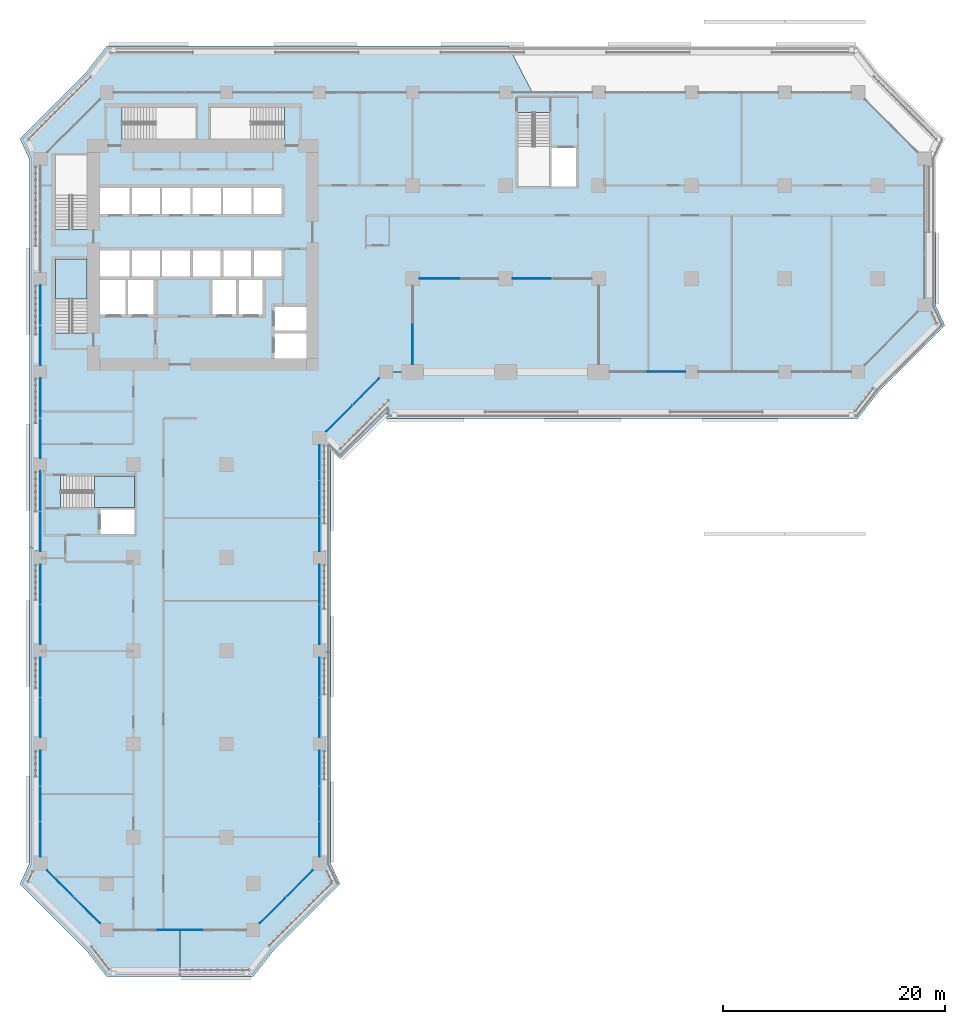
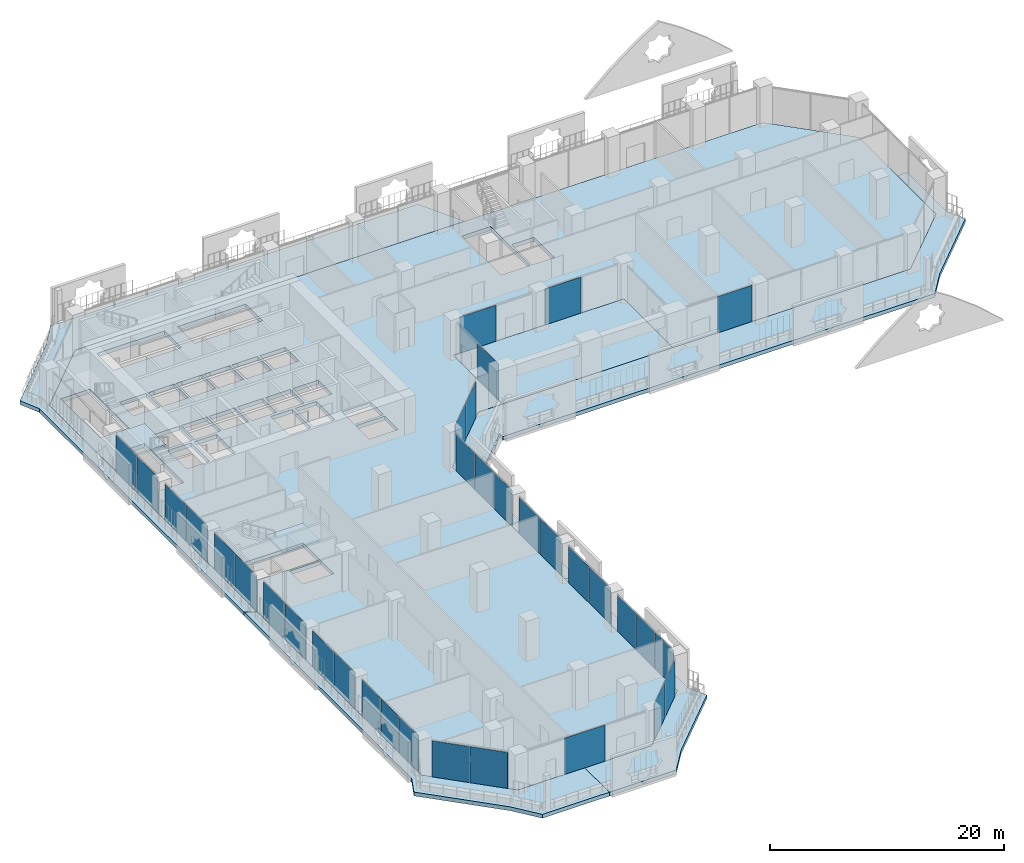
# One storey, part 11 of 27: 34 plates, 8 slabs, 11 elements without a shape of their own.
"""IFC4 building model written with IfcOpenShell, lengths in metres."""

from ifc_helpers import new_model, si_unit, direction, frame, origin, origin_2d, place, context, subcontext, project, spatial, polyline, rectangle, outline, extrude, material, layer, layer_set, type_object, element, aggregate, save


model = new_model("IFC4")

# Units and contexts
model_context = context("Model", 3, precision=1e-05, world=origin(), true_north=direction((0.0, 1.0)))
body_context = subcontext(model_context, "Body", "Model", "MODEL_VIEW")
ifc_project = project(units=[si_unit("LENGTHUNIT", "METRE"), si_unit("AREAUNIT", "SQUARE_METRE"), si_unit("VOLUMEUNIT", "CUBIC_METRE"), si_unit("PLANEANGLEUNIT", "RADIAN"), si_unit("MASSUNIT", "GRAM", prefix="KILO")], contexts=[model_context])

# Site, building, storey
site_placement = place(None, origin())
site = spatial("IfcSite", under=ifc_project, at=site_placement, CompositionType="ELEMENT")
building_placement = place(site_placement, origin())
building = spatial("IfcBuilding", under=site, at=building_placement, Name="Kawkab Arch Medical Tower", CompositionType="ELEMENT")
storey_placement = place(building_placement, frame((0.0, 0.0, 39.199951171875)))
storey = spatial("IfcBuildingStorey", under=building, at=storey_placement, Name="L08", CompositionType="ELEMENT", Elevation=39.199951171875)

# Curtain wall, plate
ifc_material_1 = material(Name="Bronze anodised aluminium curtain wall frame", Category="aluminium")
ifc_layer_1 = layer(ifc_material_1, 0.159912109375)
ifc_layer_set_1 = layer_set([ifc_layer_1], Name="Bronze anodised aluminium curtain wall frame")
curtain_wall_type_1 = type_object("IfcCurtainWallType", Name="CW1 ward curtain wall", PredefinedType="NOTDEFINED", material=ifc_layer_set_1)
placement_1 = place(storey_placement, origin())
curtain_wall_1 = element("IfcCurtainWall", 1, at=placement_1, inside=storey, type_object=curtain_wall_type_1, Name="CW1 Ward curtain wall R05", PredefinedType="NOTDEFINED")
ifc_material_2 = material(Name="Tinted insulating glass, bronze low-e coating", Category="glass")
ifc_layer_2 = layer(ifc_material_2, 0.031982421875)
ifc_layer_set_2 = layer_set([ifc_layer_2], Name="Tinted insulating glass, bronze low-e coating")
plate_type_1 = type_object("IfcPlateType", Name="CW1 glazing unit 32", PredefinedType="CURTAIN_PANEL", material=ifc_layer_set_2)
plate_1_placement = place(storey_placement, frame((56.5, -25.199951171875, 0.0), z_axis=(0.0, 0.0, 1.0), x_axis=(1.0, 0.0, 0.0)))
plate_1 = element("IfcPlate", 2, at=plate_1_placement, type_object=plate_type_1, Name="CW1 glazing unit 1.2", PredefinedType="CURTAIN_PANEL", context=body_context, shape_type="SweptSolid", body=[
    extrude(rectangle(XDim=3.39990234375, YDim=0.031982421875, at=origin_2d()), origin(), (0.0, 0.0, 1.0), 3.780029296875),
])
aggregate(curtain_wall_1, [plate_1])

# Curtain wall, plates
curtain_wall_2 = element("IfcCurtainWall", 3, at=placement_1, inside=storey, type_object=curtain_wall_type_1, Name="CW1 Ward curtain wall R11", PredefinedType="NOTDEFINED")
plate_2_placement = place(storey_placement, frame((0.0, -19.18505859375, 0.0), z_axis=(0.0, 0.0, 1.0), x_axis=(0.0, -1.0, 0.0)))
plate_2 = element("IfcPlate", 4, at=plate_2_placement, type_object=plate_type_1, Name="CW1 glazing unit 2.1", PredefinedType="CURTAIN_PANEL", context=body_context, shape_type="SweptSolid", body=[
    extrude(rectangle(XDim=3.570068359375, YDim=0.031982421875, at=origin_2d()), origin(), (0.0, 0.0, 1.0), 3.780029296875),
])
plate_3_placement = place(storey_placement, frame((0.0, -22.81494140625, 0.0), z_axis=(0.0, 0.0, 1.0), x_axis=(0.0, -1.0, 0.0)))
plate_3 = element("IfcPlate", 5, at=plate_3_placement, type_object=plate_type_1, Name="CW1 glazing unit 2.2", PredefinedType="CURTAIN_PANEL", context=body_context, shape_type="SweptSolid", body=[
    extrude(rectangle(XDim=3.570068359375, YDim=0.031982421875, at=origin_2d()), origin(), (0.0, 0.0, 1.0), 3.780029296875),
])
plate_4_placement = place(storey_placement, frame((0.0, -27.5849609375, 0.0), z_axis=(0.0, 0.0, 1.0), x_axis=(0.0, -1.0, 0.0)))
plate_4 = element("IfcPlate", 6, at=plate_4_placement, type_object=plate_type_1, Name="CW1 glazing unit 3.1", PredefinedType="CURTAIN_PANEL", context=body_context, shape_type="SweptSolid", body=[
    extrude(rectangle(XDim=3.570068359375, YDim=0.031982421875, at=origin_2d()), origin(), (0.0, 0.0, 1.0), 3.780029296875),
])
plate_5_placement = place(storey_placement, frame((0.0, -31.215087890625, 0.0), z_axis=(0.0, 0.0, 1.0), x_axis=(0.0, -1.0, 0.0)))
plate_5 = element("IfcPlate", 7, at=plate_5_placement, type_object=plate_type_1, Name="CW1 glazing unit 3.2", PredefinedType="CURTAIN_PANEL", context=body_context, shape_type="SweptSolid", body=[
    extrude(rectangle(XDim=3.570068359375, YDim=0.031982421875, at=origin_2d()), origin(), (0.0, 0.0, 1.0), 3.780029296875),
])
plate_6_placement = place(storey_placement, frame((0.0, -35.985107421875, 0.0), z_axis=(0.0, 0.0, 1.0), x_axis=(0.0, -1.0, 0.0)))
plate_6 = element("IfcPlate", 8, at=plate_6_placement, type_object=plate_type_1, Name="CW1 glazing unit 4.1", PredefinedType="CURTAIN_PANEL", context=body_context, shape_type="SweptSolid", body=[
    extrude(rectangle(XDim=3.570068359375, YDim=0.031982421875, at=origin_2d()), origin(), (0.0, 0.0, 1.0), 3.780029296875),
])
plate_7_placement = place(storey_placement, frame((0.0, -39.614990234375, 0.0), z_axis=(0.0, 0.0, 1.0), x_axis=(0.0, -1.0, 0.0)))
plate_7 = element("IfcPlate", 9, at=plate_7_placement, type_object=plate_type_1, Name="CW1 glazing unit 4.2", PredefinedType="CURTAIN_PANEL", context=body_context, shape_type="SweptSolid", body=[
    extrude(rectangle(XDim=3.570068359375, YDim=0.031982421875, at=origin_2d()), origin(), (0.0, 0.0, 1.0), 3.780029296875),
])
plate_8_placement = place(storey_placement, frame((0.0, -44.385009765625, 0.0), z_axis=(0.0, 0.0, 1.0), x_axis=(0.0, -1.0, 0.0)))
plate_8 = element("IfcPlate", 10, at=plate_8_placement, type_object=plate_type_1, Name="CW1 glazing unit 5.1", PredefinedType="CURTAIN_PANEL", context=body_context, shape_type="SweptSolid", body=[
    extrude(rectangle(XDim=3.570068359375, YDim=0.031982421875, at=origin_2d()), origin(), (0.0, 0.0, 1.0), 3.780029296875),
])
plate_9_placement = place(storey_placement, frame((0.0, -48.014892578125, 0.0), z_axis=(0.0, 0.0, 1.0), x_axis=(0.0, -1.0, 0.0)))
plate_9 = element("IfcPlate", 11, at=plate_9_placement, type_object=plate_type_1, Name="CW1 glazing unit 5.2", PredefinedType="CURTAIN_PANEL", context=body_context, shape_type="SweptSolid", body=[
    extrude(rectangle(XDim=3.570068359375, YDim=0.031982421875, at=origin_2d()), origin(), (0.0, 0.0, 1.0), 3.780029296875),
])
plate_10_placement = place(storey_placement, frame((0.0, -52.784912109375, 0.0), z_axis=(0.0, 0.0, 1.0), x_axis=(0.0, -1.0, 0.0)))
plate_10 = element("IfcPlate", 12, at=plate_10_placement, type_object=plate_type_1, Name="CW1 glazing unit 6.1", PredefinedType="CURTAIN_PANEL", context=body_context, shape_type="SweptSolid", body=[
    extrude(rectangle(XDim=3.570068359375, YDim=0.031982421875, at=origin_2d()), origin(), (0.0, 0.0, 1.0), 3.780029296875),
])
plate_11_placement = place(storey_placement, frame((0.0, -56.4150390625, 0.0), z_axis=(0.0, 0.0, 1.0), x_axis=(0.0, -1.0, 0.0)))
plate_11 = element("IfcPlate", 13, at=plate_11_placement, type_object=plate_type_1, Name="CW1 glazing unit 6.2", PredefinedType="CURTAIN_PANEL", context=body_context, shape_type="SweptSolid", body=[
    extrude(rectangle(XDim=3.570068359375, YDim=0.031982421875, at=origin_2d()), origin(), (0.0, 0.0, 1.0), 3.780029296875),
])
plate_12_placement = place(storey_placement, frame((0.0, -60.980712890625, 0.0), z_axis=(0.0, 0.0, 1.0), x_axis=(0.0, -1.0, 0.0)))
plate_12 = element("IfcPlate", 14, at=plate_12_placement, type_object=plate_type_1, Name="CW1 glazing unit 7.1", PredefinedType="CURTAIN_PANEL", context=body_context, shape_type="SweptSolid", body=[
    extrude(rectangle(XDim=3.16162109375, YDim=0.031982421875, at=origin_2d()), origin(), (0.0, 0.0, 1.0), 3.780029296875),
])
plate_13_placement = place(storey_placement, frame((0.0, -64.1875, 0.0), z_axis=(0.0, 0.0, 1.0), x_axis=(0.0, -1.0, 0.0)))
plate_13 = element("IfcPlate", 15, at=plate_13_placement, type_object=plate_type_1, Name="CW1 glazing unit 7.2", PredefinedType="CURTAIN_PANEL", context=body_context, shape_type="SweptSolid", body=[
    extrude(rectangle(XDim=3.131591796875, YDim=0.031982421875, at=origin_2d()), origin(), (0.0, 0.0, 1.0), 3.780029296875),
])
plate_14_placement = place(storey_placement, frame((0.0, -67.394287109375, 0.0), z_axis=(0.0, 0.0, 1.0), x_axis=(0.0, -1.0, 0.0)))
plate_14 = element("IfcPlate", 16, at=plate_14_placement, type_object=plate_type_1, Name="CW1 glazing unit 7.3", PredefinedType="CURTAIN_PANEL", context=body_context, shape_type="SweptSolid", body=[
    extrude(rectangle(XDim=3.16162109375, YDim=0.031982421875, at=origin_2d()), origin(), (0.0, 0.0, 1.0), 3.780029296875),
])
aggregate(curtain_wall_2, [plate_2, plate_3, plate_4, plate_5, plate_6, plate_7, plate_8, plate_9, plate_10, plate_11, plate_12, plate_13, plate_14])

# Curtain wall, plate
curtain_wall_3 = element("IfcCurtainWall", 17, at=placement_1, inside=storey, type_object=curtain_wall_type_1, Name="CW1 Ward curtain wall R13", PredefinedType="NOTDEFINED")
plate_15_placement = place(storey_placement, frame((12.60009765625, -75.60009765625, 0.0), z_axis=(0.0, 0.0, 1.0), x_axis=(1.0, 0.0, 0.0)))
plate_15 = element("IfcPlate", 18, at=plate_15_placement, type_object=plate_type_1, Name="CW1 glazing unit 1.2", PredefinedType="CURTAIN_PANEL", context=body_context, shape_type="SweptSolid", body=[
    extrude(rectangle(XDim=3.9833984375, YDim=0.031982421875, at=origin_2d()), origin(), (0.0, 0.0, 1.0), 3.780029296875),
])
aggregate(curtain_wall_3, [plate_15])

# Curtain wall, plates
curtain_wall_4 = element("IfcCurtainWall", 19, at=placement_1, inside=storey, type_object=curtain_wall_type_1, Name="CW1 Ward curtain wall R15", PredefinedType="NOTDEFINED")
plate_16_placement = place(storey_placement, frame((25.199951171875, -67.394287109375, 0.0), z_axis=(0.0, 0.0, 1.0), x_axis=(0.0, 1.0, 0.0)))
plate_16 = element("IfcPlate", 20, at=plate_16_placement, type_object=plate_type_1, Name="CW1 glazing unit 1.1", PredefinedType="CURTAIN_PANEL", context=body_context, shape_type="SweptSolid", body=[
    extrude(rectangle(XDim=3.16162109375, YDim=0.031982421875, at=origin_2d()), origin(), (0.0, 0.0, 1.0), 3.780029296875),
])
plate_17_placement = place(storey_placement, frame((25.199951171875, -64.1875, 0.0), z_axis=(0.0, 0.0, 1.0), x_axis=(0.0, 1.0, 0.0)))
plate_17 = element("IfcPlate", 21, at=plate_17_placement, type_object=plate_type_1, Name="CW1 glazing unit 1.2", PredefinedType="CURTAIN_PANEL", context=body_context, shape_type="SweptSolid", body=[
    extrude(rectangle(XDim=3.131591796875, YDim=0.031982421875, at=origin_2d()), origin(), (0.0, 0.0, 1.0), 3.780029296875),
])
plate_18_placement = place(storey_placement, frame((25.199951171875, -60.980712890625, 0.0), z_axis=(0.0, 0.0, 1.0), x_axis=(0.0, 1.0, 0.0)))
plate_18 = element("IfcPlate", 22, at=plate_18_placement, type_object=plate_type_1, Name="CW1 glazing unit 1.3", PredefinedType="CURTAIN_PANEL", context=body_context, shape_type="SweptSolid", body=[
    extrude(rectangle(XDim=3.16162109375, YDim=0.031982421875, at=origin_2d()), origin(), (0.0, 0.0, 1.0), 3.780029296875),
])
plate_19_placement = place(storey_placement, frame((25.199951171875, -56.4150390625, 0.0), z_axis=(0.0, 0.0, 1.0), x_axis=(0.0, 1.0, 0.0)))
plate_19 = element("IfcPlate", 23, at=plate_19_placement, type_object=plate_type_1, Name="CW1 glazing unit 2.1", PredefinedType="CURTAIN_PANEL", context=body_context, shape_type="SweptSolid", body=[
    extrude(rectangle(XDim=3.570068359375, YDim=0.031982421875, at=origin_2d()), origin(), (0.0, 0.0, 1.0), 3.780029296875),
])
plate_20_placement = place(storey_placement, frame((25.199951171875, -52.784912109375, 0.0), z_axis=(0.0, 0.0, 1.0), x_axis=(0.0, 1.0, 0.0)))
plate_20 = element("IfcPlate", 24, at=plate_20_placement, type_object=plate_type_1, Name="CW1 glazing unit 2.2", PredefinedType="CURTAIN_PANEL", context=body_context, shape_type="SweptSolid", body=[
    extrude(rectangle(XDim=3.570068359375, YDim=0.031982421875, at=origin_2d()), origin(), (0.0, 0.0, 1.0), 3.780029296875),
])
plate_21_placement = place(storey_placement, frame((25.199951171875, -48.014892578125, 0.0), z_axis=(0.0, 0.0, 1.0), x_axis=(0.0, 1.0, 0.0)))
plate_21 = element("IfcPlate", 25, at=plate_21_placement, type_object=plate_type_1, Name="CW1 glazing unit 3.1", PredefinedType="CURTAIN_PANEL", context=body_context, shape_type="SweptSolid", body=[
    extrude(rectangle(XDim=3.570068359375, YDim=0.031982421875, at=origin_2d()), origin(), (0.0, 0.0, 1.0), 3.780029296875),
])
plate_22_placement = place(storey_placement, frame((25.199951171875, -44.385009765625, 0.0), z_axis=(0.0, 0.0, 1.0), x_axis=(0.0, 1.0, 0.0)))
plate_22 = element("IfcPlate", 26, at=plate_22_placement, type_object=plate_type_1, Name="CW1 glazing unit 3.2", PredefinedType="CURTAIN_PANEL", context=body_context, shape_type="SweptSolid", body=[
    extrude(rectangle(XDim=3.570068359375, YDim=0.031982421875, at=origin_2d()), origin(), (0.0, 0.0, 1.0), 3.780029296875),
])
plate_23_placement = place(storey_placement, frame((25.199951171875, -39.819091796875, 0.0), z_axis=(0.0, 0.0, 1.0), x_axis=(0.0, 1.0, 0.0)))
plate_23 = element("IfcPlate", 27, at=plate_23_placement, type_object=plate_type_1, Name="CW1 glazing unit 4.1", PredefinedType="CURTAIN_PANEL", context=body_context, shape_type="SweptSolid", body=[
    extrude(rectangle(XDim=3.16162109375, YDim=0.031982421875, at=origin_2d()), origin(), (0.0, 0.0, 1.0), 3.780029296875),
])
plate_24_placement = place(storey_placement, frame((25.199951171875, -36.612548828125, 0.0), z_axis=(0.0, 0.0, 1.0), x_axis=(0.0, 1.0, 0.0)))
plate_24 = element("IfcPlate", 28, at=plate_24_placement, type_object=plate_type_1, Name="CW1 glazing unit 4.2", PredefinedType="CURTAIN_PANEL", context=body_context, shape_type="SweptSolid", body=[
    extrude(rectangle(XDim=3.131591796875, YDim=0.031982421875, at=origin_2d()), origin(), (0.0, 0.0, 1.0), 3.780029296875),
])
plate_25_placement = place(storey_placement, frame((25.199951171875, -33.40576171875, 0.0), z_axis=(0.0, 0.0, 1.0), x_axis=(0.0, 1.0, 0.0)))
plate_25 = element("IfcPlate", 29, at=plate_25_placement, type_object=plate_type_1, Name="CW1 glazing unit 4.3", PredefinedType="CURTAIN_PANEL", context=body_context, shape_type="SweptSolid", body=[
    extrude(rectangle(XDim=3.16162109375, YDim=0.031982421875, at=origin_2d()), origin(), (0.0, 0.0, 1.0), 3.780029296875),
])
aggregate(curtain_wall_4, [plate_16, plate_17, plate_18, plate_19, plate_20, plate_21, plate_22, plate_23, plate_24, plate_25])

ifc_material_3 = material(Name="Bronze anodised aluminium curtain wall frame", Category="aluminium")
ifc_layer_3 = layer(ifc_material_3, 0.159912109375)
ifc_layer_set_3 = layer_set([ifc_layer_3], Name="Bronze anodised aluminium curtain wall frame")
curtain_wall_type_2 = type_object("IfcCurtainWallType", Name="CW2 chamfer curtain wall", PredefinedType="NOTDEFINED", material=ifc_layer_set_3)
curtain_wall_5 = element("IfcCurtainWall", 30, at=placement_1, inside=storey, type_object=curtain_wall_type_2, Name="CW2 Chamfer curtain wall R12", PredefinedType="NOTDEFINED")
ifc_material_4 = material(Name="Tinted insulating glass, bronze low-e coating", Category="glass")
ifc_layer_4 = layer(ifc_material_4, 0.031982421875)
ifc_layer_set_4 = layer_set([ifc_layer_4], Name="Tinted insulating glass, bronze low-e coating")
plate_type_2 = type_object("IfcPlateType", Name="CW2 glazing unit 32", PredefinedType="CURTAIN_PANEL", material=ifc_layer_set_4)
plate_26_placement = place(storey_placement, frame((1.802001953125, -71.40185546875, 0.0), z_axis=(0.0, 0.0, 1.0), x_axis=(0.707106781187, -0.707106781187, 0.0)))
plate_26 = element("IfcPlate", 31, at=plate_26_placement, type_object=plate_type_2, Name="CW2 glazing unit 1.1", PredefinedType="CURTAIN_PANEL", context=body_context, shape_type="SweptSolid", body=[
    extrude(rectangle(XDim=3.328857421875, YDim=0.031982421875, at=origin_2d()), origin(), (0.0, 0.0, 1.0), 3.760009765625),
])
plate_27_placement = place(storey_placement, frame((4.197998046875, -73.798095703125, 0.0), z_axis=(0.0, 0.0, 1.0), x_axis=(0.707106781187, -0.707106781187, 0.0)))
plate_27 = element("IfcPlate", 32, at=plate_27_placement, type_object=plate_type_2, Name="CW2 glazing unit 1.2", PredefinedType="CURTAIN_PANEL", context=body_context, shape_type="SweptSolid", body=[
    extrude(rectangle(XDim=3.328857421875, YDim=0.031982421875, at=origin_2d()), origin(), (0.0, 0.0, 1.0), 3.760009765625),
])
aggregate(curtain_wall_5, [plate_26, plate_27])

curtain_wall_6 = element("IfcCurtainWall", 33, at=placement_1, inside=storey, type_object=curtain_wall_type_2, Name="CW2 Chamfer curtain wall R14", PredefinedType="NOTDEFINED")
plate_28_placement = place(storey_placement, frame((21.001953125, -73.798095703125, 0.0), z_axis=(0.0, 0.0, 1.0), x_axis=(0.707106781187, 0.707106781187, 0.0)))
plate_28 = element("IfcPlate", 34, at=plate_28_placement, type_object=plate_type_2, Name="CW2 glazing unit 1.1", PredefinedType="CURTAIN_PANEL", context=body_context, shape_type="SweptSolid", body=[
    extrude(rectangle(XDim=3.328857421875, YDim=0.031982421875, at=origin_2d()), origin(), (0.0, 0.0, 1.0), 3.760009765625),
])
plate_29_placement = place(storey_placement, frame((23.398193359375, -71.40185546875, 0.0), z_axis=(0.0, 0.0, 1.0), x_axis=(0.707106781187, 0.707106781187, 0.0)))
plate_29 = element("IfcPlate", 35, at=plate_29_placement, type_object=plate_type_2, Name="CW2 glazing unit 1.2", PredefinedType="CURTAIN_PANEL", context=body_context, shape_type="SweptSolid", body=[
    extrude(rectangle(XDim=3.328857421875, YDim=0.031982421875, at=origin_2d()), origin(), (0.0, 0.0, 1.0), 3.760009765625),
])
aggregate(curtain_wall_6, [plate_28, plate_29])

curtain_wall_7 = element("IfcCurtainWall", 36, at=placement_1, inside=storey, type_object=curtain_wall_type_2, Name="CW2 Chamfer curtain wall R16", PredefinedType="NOTDEFINED")
plate_30_placement = place(storey_placement, frame((27.001953125, -29.398193359375, 0.0), z_axis=(0.0, 0.0, 1.0), x_axis=(0.707106781187, 0.707106781187, 0.0)))
plate_30 = element("IfcPlate", 37, at=plate_30_placement, type_object=plate_type_2, Name="CW2 glazing unit 1.1", PredefinedType="CURTAIN_PANEL", context=body_context, shape_type="SweptSolid", body=[
    extrude(rectangle(XDim=3.328857421875, YDim=0.031982421875, at=origin_2d()), origin(), (0.0, 0.0, 1.0), 3.760009765625),
])
plate_31_placement = place(storey_placement, frame((29.398193359375, -27.001953125, 0.0), z_axis=(0.0, 0.0, 1.0), x_axis=(0.707106781187, 0.707106781187, 0.0)))
plate_31 = element("IfcPlate", 38, at=plate_31_placement, type_object=plate_type_2, Name="CW2 glazing unit 1.2", PredefinedType="CURTAIN_PANEL", context=body_context, shape_type="SweptSolid", body=[
    extrude(rectangle(XDim=3.328857421875, YDim=0.031982421875, at=origin_2d()), origin(), (0.0, 0.0, 1.0), 3.760009765625),
])
aggregate(curtain_wall_7, [plate_30, plate_31])

# Curtain wall, plate
ifc_material_5 = material(Name="Bronze anodised aluminium curtain wall frame", Category="aluminium")
ifc_layer_5 = layer(ifc_material_5, 0.159912109375)
ifc_layer_set_5 = layer_set([ifc_layer_5], Name="Bronze anodised aluminium curtain wall frame")
curtain_wall_type_3 = type_object("IfcCurtainWallType", Name="CW3 sky garden curtain wall", PredefinedType="NOTDEFINED", material=ifc_layer_set_5)
curtain_wall_8 = element("IfcCurtainWall", 39, at=placement_1, inside=storey, type_object=curtain_wall_type_3, Name="CW3 Sky garden curtain wall R02", PredefinedType="NOTDEFINED")
ifc_material_6 = material(Name="Tinted laminated insulating glass, grey-green", Category="glass")
ifc_layer_6 = layer(ifc_material_6, 0.035888671875)
ifc_layer_set_6 = layer_set([ifc_layer_6], Name="Tinted laminated insulating glass, grey-green")
plate_type_3 = type_object("IfcPlateType", Name="CW3 glazing unit 36", PredefinedType="CURTAIN_PANEL", material=ifc_layer_set_6)
plate_32_placement = place(storey_placement, frame((33.60009765625, -22.737548828125, 0.0), z_axis=(0.0, 0.0, 1.0), x_axis=(0.0, 1.0, 0.0)))
plate_32 = element("IfcPlate", 40, at=plate_32_placement, type_object=plate_type_3, Name="CW3 glazing unit 1.1", PredefinedType="CURTAIN_PANEL", context=body_context, shape_type="SweptSolid", body=[
    extrude(rectangle(XDim=3.52490234375, YDim=0.035888671875, at=origin_2d()), origin(), (0.0, 0.0, 1.0), 3.760009765625),
])
aggregate(curtain_wall_8, [plate_32])

# Curtain wall, plates
curtain_wall_9 = element("IfcCurtainWall", 41, at=placement_1, inside=storey, type_object=curtain_wall_type_3, Name="CW3 Sky garden curtain wall R03", PredefinedType="NOTDEFINED")
plate_33_placement = place(storey_placement, frame((36.02490234375, -16.800048828125, 0.0), z_axis=(0.0, 0.0, 1.0), x_axis=(1.0, 0.0, 0.0)))
plate_33 = element("IfcPlate", 42, at=plate_33_placement, type_object=plate_type_3, Name="CW3 glazing unit 1.1", PredefinedType="CURTAIN_PANEL", context=body_context, shape_type="SweptSolid", body=[
    extrude(rectangle(XDim=3.550048828125, YDim=0.035888671875, at=origin_2d()), origin(), (0.0, 0.0, 1.0), 3.760009765625),
])
plate_34_placement = place(storey_placement, frame((44.407470703125, -16.800048828125, 0.0), z_axis=(0.0, 0.0, 1.0), x_axis=(1.0, 0.0, 0.0)))
plate_34 = element("IfcPlate", 43, at=plate_34_placement, type_object=plate_type_3, Name="CW3 glazing unit 2.1", PredefinedType="CURTAIN_PANEL", context=body_context, shape_type="SweptSolid", body=[
    extrude(rectangle(XDim=3.514892578125, YDim=0.035888671875, at=origin_2d()), origin(), (0.0, 0.0, 1.0), 3.760009765625),
])
aggregate(curtain_wall_9, [plate_33, plate_34])

# Stair, slab
ifc_material_7 = material(Name="Concrete C40/50", Category="concrete")
stair_type = type_object("IfcStairType", Name="Exit stair 1350", PredefinedType="HALF_TURN_STAIR", material=ifc_material_7)
stair_1 = element("IfcStair", 44, at=placement_1, inside=storey, type_object=stair_type, Name="L08 Exit stair ST2", PredefinedType="HALF_TURN_STAIR")
ifc_material_8 = material(Name="Concrete C40/50", Category="concrete")
ifc_layer_7 = layer(ifc_material_8, 0.199951171875)
ifc_layer_set_7 = layer_set([ifc_layer_7], Name="Concrete C40/50")
slab_type_1 = type_object("IfcSlabType", Name="Exit stair landing 200", PredefinedType="LANDING", material=ifc_layer_set_7)
placement_2 = place(storey_placement, frame((0.0, 0.0, 1.900146484375)))
slab_1 = element("IfcSlab", 45, at=placement_2, type_object=slab_type_1, Name="ST2 landing 1", PredefinedType="LANDING", context=body_context, shape_type="SweptSolid", body=[
    extrude(outline(polyline([(4.199951171875, -18.6201171875), (4.199951171875, -15.0), (1.35009765625, -15.0), (1.35009765625, -18.6201171875), (4.199951171875, -18.6201171875)])), origin(), (0.0, 0.0, 1.0), 0.199951171875),
])
aggregate(stair_1, [slab_1])

stair_2 = element("IfcStair", 46, at=placement_1, inside=storey, type_object=stair_type, Name="L08 Exit stair ST6", PredefinedType="HALF_TURN_STAIR")
slab_2 = element("IfcSlab", 47, at=placement_2, type_object=slab_type_1, Name="ST6 landing 1", PredefinedType="LANDING", context=body_context, shape_type="SweptSolid", body=[
    extrude(outline(polyline([(4.8798828125, -37.449951171875), (8.5, -37.449951171875), (8.5, -34.60009765625), (4.8798828125, -34.60009765625), (4.8798828125, -37.449951171875)])), origin(), (0.0, 0.0, 1.0), 0.199951171875),
])
aggregate(stair_2, [slab_2])

# Slabs
ifc_material_9 = material(Name="Concrete C45/55", Category="concrete")
ifc_layer_8 = layer(ifc_material_9, 0.419921875)
ifc_layer_set_8 = layer_set([ifc_layer_8], Name="Concrete C45/55")
slab_type_2 = type_object("IfcSlabType", Name="Flat plate 420 C45/55", PredefinedType="FLOOR", material=ifc_layer_set_8)
slab_3_placement = place(storey_placement, frame((0.0, 0.0, -0.419921875)))
element("IfcSlab", 48, at=slab_3_placement, inside=storey, type_object=slab_type_2, Name="Floor slab L08", PredefinedType="FLOOR", context=body_context, shape_type="SweptSolid", body=[
    extrude(outline(polyline([(25.199951171875, -31.199951171875), (25.199951171875, -69.60009765625), (19.199951171875, -75.60009765625), (6.0, -75.60009765625), (0.0, -69.60009765625), (0.0, -6.0), (6.0, 0.0), (73.800048828125, 0.0), (79.800048828125, -6.0), (79.800048828125, -19.199951171875), (73.800048828125, -25.199951171875), (50.39990234375, -25.199951171875), (50.39990234375, -16.800048828125), (33.60009765625, -16.800048828125), (33.60009765625, -25.199951171875), (31.199951171875, -25.199951171875), (25.199951171875, -31.199951171875)]), holes=[polyline([(5.425048828125, -37.64990234375), (5.425048828125, -39.85009765625), (8.5, -39.85009765625), (8.5, -37.64990234375), (5.425048828125, -37.64990234375)]), polyline([(1.800048828125, -37.449951171875), (8.5, -37.449951171875), (8.5, -34.60009765625), (1.800048828125, -34.60009765625), (1.800048828125, -37.449951171875)]), polyline([(5.39990234375, -16.89990234375), (5.39990234375, -20.050048828125), (7.675048828125, -20.050048828125), (7.675048828125, -16.89990234375), (5.39990234375, -16.89990234375)]), polyline([(10.199951171875, -16.89990234375), (7.925048828125, -16.89990234375), (7.925048828125, -20.050048828125), (10.199951171875, -20.050048828125), (10.199951171875, -16.89990234375)]), polyline([(4.199951171875, -21.699951171875), (4.199951171875, -15.0), (1.35009765625, -15.0), (1.35009765625, -21.699951171875), (4.199951171875, -21.699951171875)]), polyline([(5.39990234375, -14.25), (5.39990234375, -16.60009765625), (8.050048828125, -16.60009765625), (8.050048828125, -14.25), (5.39990234375, -14.25)]), polyline([(8.25, -16.60009765625), (10.800048828125, -16.60009765625), (10.800048828125, -14.25), (8.25, -14.25), (8.25, -16.60009765625)]), polyline([(13.52490234375, -16.60009765625), (13.52490234375, -14.25), (11.0, -14.25), (11.0, -16.60009765625), (13.52490234375, -16.60009765625)]), polyline([(5.39990234375, -8.60009765625), (5.39990234375, -10.949951171875), (8.050048828125, -10.949951171875), (8.050048828125, -8.60009765625), (5.39990234375, -8.60009765625)]), polyline([(8.25, -10.949951171875), (10.800048828125, -10.949951171875), (10.800048828125, -8.60009765625), (8.25, -8.60009765625), (8.25, -10.949951171875)]), polyline([(13.550048828125, -8.60009765625), (11.0, -8.60009765625), (11.0, -10.949951171875), (13.550048828125, -10.949951171875), (13.550048828125, -8.60009765625)]), polyline([(4.199951171875, -12.35009765625), (4.199951171875, -5.64990234375), (1.35009765625, -5.64990234375), (1.35009765625, -12.35009765625), (4.199951171875, -12.35009765625)]), polyline([(7.35009765625, -4.199951171875), (14.050048828125, -4.199951171875), (14.050048828125, -1.35009765625), (7.35009765625, -1.35009765625), (7.35009765625, -4.199951171875)]), polyline([(24.0, -21.72509765625), (21.14990234375, -21.72509765625), (21.14990234375, -24.0), (24.0, -24.0), (24.0, -21.72509765625)]), polyline([(24.0, -21.47509765625), (24.0, -19.35009765625), (21.14990234375, -19.35009765625), (21.14990234375, -21.47509765625), (24.0, -21.47509765625)]), polyline([(17.675048828125, -20.050048828125), (17.675048828125, -16.89990234375), (15.52490234375, -16.89990234375), (15.52490234375, -20.050048828125), (17.675048828125, -20.050048828125)]), polyline([(20.050048828125, -16.89990234375), (17.925048828125, -16.89990234375), (17.925048828125, -20.050048828125), (20.050048828125, -20.050048828125), (20.050048828125, -16.89990234375)]), polyline([(13.77490234375, -16.60009765625), (16.27490234375, -16.60009765625), (16.27490234375, -14.25), (13.77490234375, -14.25), (13.77490234375, -16.60009765625)]), polyline([(16.52490234375, -16.60009765625), (19.02490234375, -16.60009765625), (19.02490234375, -14.25), (16.52490234375, -14.25), (16.52490234375, -16.60009765625)]), polyline([(21.75, -14.25), (19.27490234375, -14.25), (19.27490234375, -16.60009765625), (21.75, -16.60009765625), (21.75, -14.25)]), polyline([(16.300048828125, -10.949951171875), (16.300048828125, -8.60009765625), (13.75, -8.60009765625), (13.75, -10.949951171875), (16.300048828125, -10.949951171875)]), polyline([(19.050048828125, -10.949951171875), (19.050048828125, -8.60009765625), (16.5, -8.60009765625), (16.5, -10.949951171875), (19.050048828125, -10.949951171875)]), polyline([(21.75, -8.60009765625), (19.25, -8.60009765625), (19.25, -10.949951171875), (21.75, -10.949951171875), (21.75, -8.60009765625)]), polyline([(46.14990234375, -5.02490234375), (46.14990234375, -8.5), (48.35009765625, -8.5), (48.35009765625, -5.02490234375), (46.14990234375, -5.02490234375)]), polyline([(43.10009765625, -1.800048828125), (43.10009765625, -8.5), (45.949951171875, -8.5), (45.949951171875, -1.800048828125), (43.10009765625, -1.800048828125)]), polyline([(22.050048828125, -1.35009765625), (15.35009765625, -1.35009765625), (15.35009765625, -4.199951171875), (22.050048828125, -4.199951171875), (22.050048828125, -1.35009765625)])]), origin(), (0.0, 0.0, 1.0), 0.419921875),
])
ifc_material_10 = material(Name="Concrete C40/50", Category="concrete")
ifc_layer_9 = layer(ifc_material_10, 0.39990234375)
ifc_layer_set_9 = layer_set([ifc_layer_9], Name="Concrete C40/50")
slab_type_3 = type_object("IfcSlabType", Name="Loggia slab 400", PredefinedType="FLOOR", material=ifc_layer_set_9)
placement_3 = place(storey_placement, frame((0.0, 0.0, -0.39990234375)))
element("IfcSlab", 49, at=placement_3, inside=storey, type_object=slab_type_3, Name="Loggia slab L08.1", PredefinedType="FLOOR", context=body_context, shape_type="SweptSolid", body=[
    extrude(outline(polyline([(19.199951171875, -79.800048828125), (12.60009765625, -79.800048828125), (12.60009765625, -75.60009765625), (19.199951171875, -75.60009765625), (25.199951171875, -69.60009765625), (25.199951171875, -50.39990234375), (26.199951171875, -50.534912109375), (26.199951171875, -69.60009765625), (27.0380859375, -71.43798828125), (21.0380859375, -77.43798828125), (19.199951171875, -79.800048828125)])), origin(), (0.0, 0.0, 1.0), 0.39990234375),
])
element("IfcSlab", 50, at=placement_3, inside=storey, type_object=slab_type_3, Name="Loggia slab L08.2", PredefinedType="FLOOR", context=body_context, shape_type="SweptSolid", body=[
    extrude(outline(polyline([(4.162109375, -77.43798828125), (-1.837890625, -71.43798828125), (-1.0, -69.60009765625), (-1.0, -40.97900390625), (-0.0009765625, -41.5458984375), (-0.0009765625, -69.60009765625), (0.0, -69.60009765625), (6.0, -75.60009765625), (12.60009765625, -75.60009765625), (12.60009765625, -79.800048828125), (6.0, -79.800048828125), (4.162109375, -77.43798828125)])), origin(), (0.0, 0.0, 1.0), 0.39990234375),
])
element("IfcSlab", 51, at=placement_3, inside=storey, type_object=slab_type_3, Name="Loggia slab L08.4", PredefinedType="FLOOR", context=body_context, shape_type="SweptSolid", body=[
    extrude(outline(polyline([(25.200927734375, -50.39990234375), (25.200927734375, -50.39892578125), (25.199951171875, -50.39892578125), (25.199951171875, -31.200927734375), (31.200927734375, -25.199951171875), (33.60595703125, -25.199951171875), (33.60595703125, -25.200927734375), (50.39404296875, -25.200927734375), (50.39404296875, -25.199951171875), (73.800048828125, -25.199951171875), (79.800048828125, -19.199951171875), (79.800048828125, -12.60107421875), (79.801025390625, -12.60107421875), (79.801025390625, -12.60009765625), (80.799072265625, -12.60009765625), (80.799072265625, -12.60107421875), (80.800048828125, -12.60107421875), (80.800048828125, -19.199951171875), (81.637939453125, -21.037109375), (75.637939453125, -27.0380859375), (73.801025390625, -29.39892578125), (73.799072265625, -29.39892578125), (73.799072265625, -29.39990234375), (31.200927734375, -29.39990234375), (31.200927734375, -29.39892578125), (31.199951171875, -29.39892578125), (31.199951171875, -28.8759765625), (27.0380859375, -33.035888671875), (26.199951171875, -32.198974609375), (26.199951171875, -50.533935546875), (26.198974609375, -50.533935546875), (26.198974609375, -50.534912109375), (25.200927734375, -50.39990234375)])), origin(), (0.0, 0.0, 1.0), 0.39990234375),
])
element("IfcSlab", 52, at=placement_3, inside=storey, type_object=slab_type_3, Name="Loggia slab L08.5", PredefinedType="FLOOR", context=body_context, shape_type="SweptSolid", body=[
    extrude(outline(polyline([(4.162109375, 1.837890625), (6.0, 4.199951171875), (35.39990234375, 4.199951171875), (42.23291015625, 4.199951171875), (44.409912109375, 0.0009765625), (31.200927734375, 0.0009765625), (6.0, 0.0009765625), (6.0, 0.0), (0.0, -6.0), (-0.0009765625, -6.0), (-0.0009765625, -41.544921875), (-1.0, -40.97802734375), (-1.0, -6.0), (-1.837890625, -4.162109375), (4.162109375, 1.837890625)])), origin(), (0.0, 0.0, 1.0), 0.39990234375),
])
ifc_material_11 = material(Name="Concrete C40/50", Category="concrete")
ifc_layer_10 = layer(ifc_material_11, 0.300048828125)
ifc_layer_set_10 = layer_set([ifc_layer_10], Name="Concrete C40/50")
slab_type_4 = type_object("IfcSlabType", Name="Terrace slab 300", PredefinedType="FLOOR", material=ifc_layer_set_10)
slab_8_placement = place(storey_placement, frame((0.0, 0.0, -0.300048828125)))
element("IfcSlab", 53, at=slab_8_placement, inside=storey, type_object=slab_type_4, Name="Sky garden slab L08.1", PredefinedType="FLOOR", context=body_context, shape_type="SweptSolid", body=[
    extrude(outline(polyline([(33.611083984375, -25.199951171875), (50.388916015625, -25.199951171875), (50.389892578125, -25.199951171875), (50.39111328125, -25.199951171875), (50.39208984375, -25.199951171875), (50.39306640625, -25.198974609375), (50.39404296875, -25.198974609375), (50.39501953125, -25.197998046875), (50.39599609375, -25.197998046875), (50.39697265625, -25.197021484375), (50.39697265625, -25.196044921875), (50.39794921875, -25.196044921875), (50.39794921875, -25.195068359375), (50.39892578125, -25.194091796875), (50.39892578125, -25.193115234375), (50.39892578125, -25.19189453125), (50.39892578125, -25.19091796875), (50.39892578125, -25.18994140625), (50.39892578125, -16.81103515625), (50.39892578125, -16.81005859375), (50.39892578125, -16.80908203125), (50.39892578125, -16.80810546875), (50.39892578125, -16.806884765625), (50.39794921875, -16.805908203125), (50.39794921875, -16.804931640625), (50.39697265625, -16.803955078125), (50.39697265625, -16.802978515625), (50.39599609375, -16.802978515625), (50.39501953125, -16.802001953125), (50.39404296875, -16.802001953125), (50.39306640625, -16.801025390625), (50.39208984375, -16.801025390625), (50.39111328125, -16.801025390625), (50.389892578125, -16.801025390625), (50.388916015625, -16.800048828125), (33.611083984375, -16.800048828125), (33.610107421875, -16.801025390625), (33.60888671875, -16.801025390625), (33.60791015625, -16.801025390625), (33.60693359375, -16.801025390625), (33.60595703125, -16.802001953125), (33.60498046875, -16.802001953125), (33.60400390625, -16.802978515625), (33.60302734375, -16.802978515625), (33.60302734375, -16.803955078125), (33.60205078125, -16.804931640625), (33.60205078125, -16.805908203125), (33.60107421875, -16.806884765625), (33.60107421875, -16.80810546875), (33.60107421875, -16.80908203125), (33.60107421875, -16.81005859375), (33.60107421875, -16.81103515625), (33.60107421875, -25.18994140625), (33.60107421875, -25.19091796875), (33.60107421875, -25.19189453125), (33.60107421875, -25.193115234375), (33.60107421875, -25.194091796875), (33.60205078125, -25.195068359375), (33.60205078125, -25.196044921875), (33.60302734375, -25.196044921875), (33.60302734375, -25.197021484375), (33.60400390625, -25.197998046875), (33.60498046875, -25.197998046875), (33.60595703125, -25.198974609375), (33.60693359375, -25.198974609375), (33.60791015625, -25.199951171875), (33.60888671875, -25.199951171875), (33.610107421875, -25.199951171875), (33.611083984375, -25.199951171875)])), origin(), (0.0, 0.0, 1.0), 0.300048828125),
])

save(model, "model.ifc")
